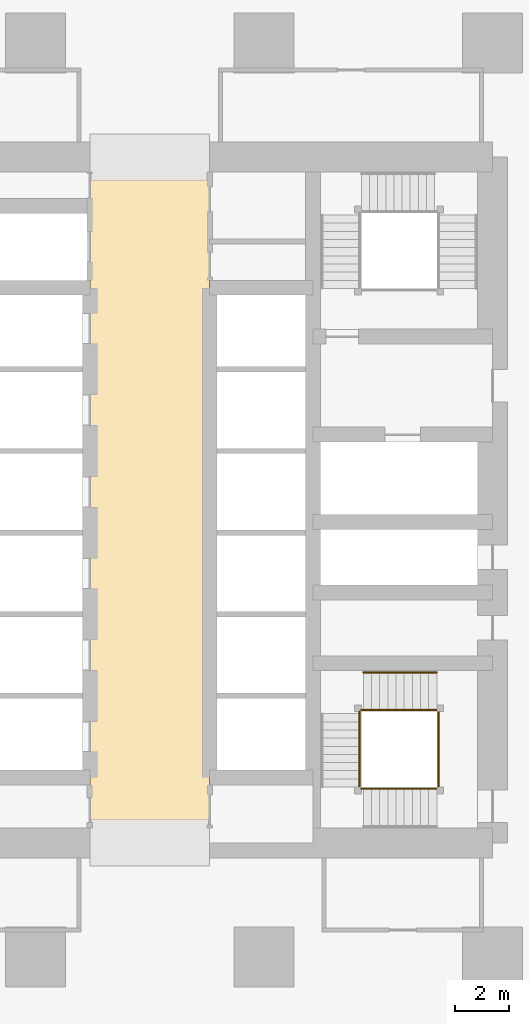
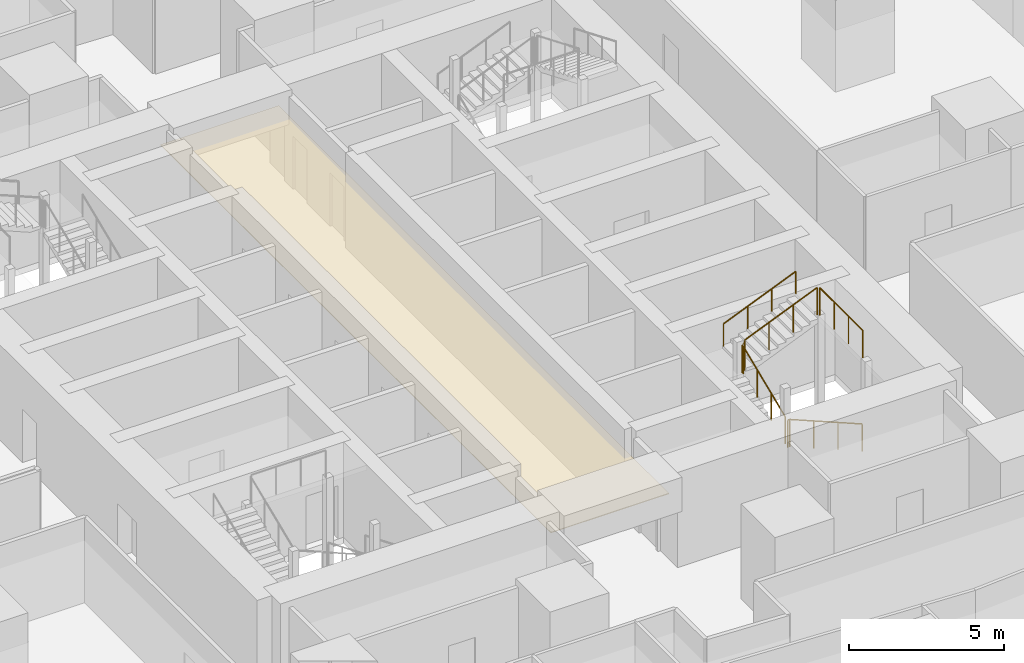
# One storey, part 40 of 45: 8 railings, 1 covering.
"""IFC4 building model written with IfcOpenShell, lengths in metres."""

from ifc_helpers import new_model, si_unit, direction, frame, origin, origin_2d, place, context, subcontext, project, spatial, polyline, circle, outline, extrude, material, layer, layer_set, type_object, element, save


model = new_model("IFC4")

# Units and contexts
model_context = context("Model", 3, precision=1e-05, world=origin(), true_north=direction((0.0, 1.0)))
body_context = subcontext(model_context, "Body", "Model", "MODEL_VIEW")
ifc_project = project(units=[si_unit("LENGTHUNIT", "METRE"), si_unit("AREAUNIT", "SQUARE_METRE"), si_unit("VOLUMEUNIT", "CUBIC_METRE"), si_unit("PLANEANGLEUNIT", "RADIAN"), si_unit("MASSUNIT", "GRAM", prefix="KILO")], contexts=[model_context])

# Site, building, storey
site_placement = place(None, origin())
site = spatial("IfcSite", under=ifc_project, at=site_placement, CompositionType="ELEMENT")
building_placement = place(site_placement, origin())
building = spatial("IfcBuilding", under=site, at=building_placement, Name="Rekha Terrace Tower", CompositionType="ELEMENT")
storey_placement = place(building_placement, frame((0.0, 0.0, 36.64990234375)))
storey = spatial("IfcBuildingStorey", under=building, at=storey_placement, Name="L08", CompositionType="ELEMENT", Elevation=36.64990234375)

# Covering
ifc_material_1 = material(Name="Powder-coated aluminium pan", Category="aluminium")
ifc_layer = layer(ifc_material_1, 0.030029296875)
ifc_layer_set = layer_set([ifc_layer], Name="Powder-coated aluminium pan")
covering_type = type_object("IfcCoveringType", Name="CL3 300x1200 metal pan ceiling", PredefinedType="CEILING", material=ifc_layer_set)
covering_placement = place(storey_placement, frame((0.0, 0.0, 2.570068359375)))
element("IfcCovering", 1, at=covering_placement, inside=storey, type_object=covering_type, Name="Ceiling L08-LOBBY", PredefinedType="CEILING", context=body_context, shape_type="SweptSolid", body=[
    extrude(outline(polyline([(40.0, 46.199951171875), (35.60009765625, 46.199951171875), (35.60009765625, 21.0), (40.0, 21.0), (40.0, 46.199951171875)])), origin(), (0.0, 0.0, 1.0), 0.030029296875),
])

# Railings
ifc_material_2 = material(Name="Stainless steel balustrade", Category="steel")
railing_type_1 = type_object("IfcRailingType", Name="GR1 1100 stair guard", PredefinedType="GUARDRAIL", material=ifc_material_2)
railing_1_placement = place(storey_placement, frame((48.35009765625, 22.989990234375, 0.125)))
element("IfcRailing", 2, at=railing_1_placement, inside=storey, type_object=railing_type_1, Name="Guard ST3 L08 flight 1", PredefinedType="GUARDRAIL", context=body_context, shape_type="SweptSolid", body=[
    extrude(circle(Radius=0.02392578125, at=origin_2d()), frame((0.0, 0.0, 1.076171875), z_axis=(-0.923086799901, 0.0, 0.38459167938), x_axis=(0.0, -1.0, 0.0)), (0.0, 0.0, 1.0), 2.92529296875),
    extrude(circle(Radius=0.02099609375, at=origin_2d()), origin(), (0.0, 0.0, 1.0), 1.052001953125),
    extrude(circle(Radius=0.02099609375, at=origin_2d()), frame((-0.900146484375, 0.0, 0.375)), (0.0, 0.0, 1.0), 1.052001953125),
    extrude(circle(Radius=0.02099609375, at=origin_2d()), frame((-1.800048828125, 0.0, 0.75)), (0.0, 0.0, 1.0), 1.052001953125),
    extrude(circle(Radius=0.02099609375, at=origin_2d()), frame((-2.7001953125, 0.0, 1.125)), (0.0, 0.0, 1.0), 1.052001953125),
])
railing_2_placement = place(storey_placement, frame((45.514892578125, 23.050048828125, 1.375)))
element("IfcRailing", 3, at=railing_2_placement, inside=storey, type_object=railing_type_1, Name="Guard ST3 L08 flight 2", PredefinedType="GUARDRAIL", context=body_context, shape_type="SweptSolid", body=[
    extrude(circle(Radius=0.02392578125, at=origin_2d()), frame((0.0, 0.0, 1.076171875), z_axis=(0.0, 0.923074453586, 0.384621311341), x_axis=(-1.0, 0.0, 0.0)), (0.0, 0.0, 1.0), 2.925048828125),
    extrude(circle(Radius=0.02099609375, at=origin_2d()), origin(), (0.0, 0.0, 1.0), 1.052001953125),
    extrude(circle(Radius=0.02099609375, at=origin_2d()), frame((0.0, 0.89990234375, 0.375)), (0.0, 0.0, 1.0), 1.052001953125),
    extrude(circle(Radius=0.02099609375, at=origin_2d()), frame((0.0, 1.800048828125, 0.75)), (0.0, 0.0, 1.0), 1.052001953125),
    extrude(circle(Radius=0.02099609375, at=origin_2d()), frame((0.0, 2.699951171875, 1.125)), (0.0, 0.0, 1.0), 1.052001953125),
])
railing_3_placement = place(storey_placement, frame((45.64990234375, 25.885009765625, 2.625)))
element("IfcRailing", 4, at=railing_3_placement, inside=storey, type_object=railing_type_1, Name="Guard ST3 L08 flight 3", PredefinedType="GUARDRAIL", context=body_context, shape_type="SweptSolid", body=[
    extrude(circle(Radius=0.02392578125, at=origin_2d()), frame((0.0, 0.0, 1.076171875), z_axis=(0.923086799901, 0.0, 0.38459167938), x_axis=(0.0, 1.0, 0.0)), (0.0, 0.0, 1.0), 2.92529296875),
    extrude(circle(Radius=0.02099609375, at=origin_2d()), origin(), (0.0, 0.0, 1.0), 1.052001953125),
    extrude(circle(Radius=0.02099609375, at=origin_2d()), frame((0.900146484375, 0.0, 0.375)), (0.0, 0.0, 1.0), 1.052001953125),
    extrude(circle(Radius=0.02099609375, at=origin_2d()), frame((1.800048828125, 0.0, 0.75)), (0.0, 0.0, 1.0), 1.052001953125),
    extrude(circle(Radius=0.02099609375, at=origin_2d()), frame((2.7001953125, 0.0, 1.125)), (0.0, 0.0, 1.0), 1.052001953125),
])
railing_4_placement = place(storey_placement, frame((45.64990234375, 22.989990234375, 1.25)))
element("IfcRailing", 5, at=railing_4_placement, inside=storey, type_object=railing_type_1, Name="Guard ST3 L08 landing 1", PredefinedType="GUARDRAIL", context=body_context, shape_type="SweptSolid", body=[
    extrude(circle(Radius=0.02392578125, at=origin_2d()), frame((0.0, 0.0, 1.076171875), z_axis=(-1.0, 0.0, 0.0), x_axis=(0.0, -1.0, 0.0)), (0.0, 0.0, 1.0), 0.074951171875),
    extrude(circle(Radius=0.02099609375, at=origin_2d()), origin(), (0.0, 0.0, 1.0), 1.052001953125),
    extrude(circle(Radius=0.02099609375, at=origin_2d()), frame((-0.074951171875, 0.0, 0.0)), (0.0, 0.0, 1.0), 1.052001953125),
])
railing_5_placement = place(storey_placement, frame((45.514892578125, 25.75, 2.5)))
element("IfcRailing", 6, at=railing_5_placement, inside=storey, type_object=railing_type_1, Name="Guard ST3 L08 landing 2", PredefinedType="GUARDRAIL", context=body_context, shape_type="SweptSolid", body=[
    extrude(circle(Radius=0.02392578125, at=origin_2d()), frame((0.0, 0.0, 1.076171875), z_axis=(0.0, 1.0, 0.0), x_axis=(-1.0, 0.0, 0.0)), (0.0, 0.0, 1.0), 0.074951171875),
    extrude(circle(Radius=0.02099609375, at=origin_2d()), origin(), (0.0, 0.0, 1.0), 1.052001953125),
    extrude(circle(Radius=0.02099609375, at=origin_2d()), frame((0.0, 0.074951171875, 0.0)), (0.0, 0.0, 1.0), 1.052001953125),
])
railing_6_placement = place(storey_placement, frame((45.64990234375, 25.885009765625, 2.5)))
element("IfcRailing", 7, at=railing_6_placement, inside=storey, type_object=railing_type_1, Name="Guard ST3 L08 landing 3", PredefinedType="GUARDRAIL", context=body_context, shape_type="SweptSolid", body=[
    extrude(circle(Radius=0.02392578125, at=origin_2d()), frame((0.0, 0.0, 1.076171875), z_axis=(-1.0, 0.0, 0.0), x_axis=(0.0, -1.0, 0.0)), (0.0, 0.0, 1.0), 0.074951171875),
    extrude(circle(Radius=0.02099609375, at=origin_2d()), origin(), (0.0, 0.0, 1.0), 1.052001953125),
    extrude(circle(Radius=0.02099609375, at=origin_2d()), frame((-0.074951171875, 0.0, 0.0)), (0.0, 0.0, 1.0), 1.052001953125),
])
railing_7_placement = place(storey_placement, frame((48.409912109375, 23.050048828125, 3.75)))
element("IfcRailing", 8, at=railing_7_placement, inside=storey, type_object=railing_type_1, Name="Guard ST3 L08 landing 4", PredefinedType="GUARDRAIL", context=body_context, shape_type="SweptSolid", body=[
    extrude(circle(Radius=0.02392578125, at=origin_2d()), frame((0.0, 0.0, 1.076171875), z_axis=(0.0, 1.0, 0.0), x_axis=(-1.0, 0.0, 0.0)), (0.0, 0.0, 1.0), 2.77490234375),
    extrude(circle(Radius=0.02099609375, at=origin_2d()), origin(), (0.0, 0.0, 1.0), 1.052001953125),
    extrude(circle(Radius=0.02099609375, at=origin_2d()), frame((0.0, 0.925048828125, 0.0)), (0.0, 0.0, 1.0), 1.052001953125),
    extrude(circle(Radius=0.02099609375, at=origin_2d()), frame((0.0, 1.849853515625, 0.0)), (0.0, 0.0, 1.0), 1.052001953125),
    extrude(circle(Radius=0.02099609375, at=origin_2d()), frame((0.0, 2.77490234375, 0.0)), (0.0, 0.0, 1.0), 1.052001953125),
])
ifc_material_3 = material(Name="Stainless steel tube", Category="steel")
railing_type_2 = type_object("IfcRailingType", Name="HR1 900 stair handrail", PredefinedType="HANDRAIL", material=ifc_material_3)
railing_8_placement = place(storey_placement, frame((45.64990234375, 27.264892578125, 2.625)))
element("IfcRailing", 9, at=railing_8_placement, inside=storey, type_object=railing_type_2, Name="Handrail ST3 L08 flight 3", PredefinedType="HANDRAIL", context=body_context, shape_type="SweptSolid", body=[
    extrude(circle(Radius=0.02392578125, at=origin_2d()), frame((0.0, 0.0, 0.8759765625), z_axis=(0.923086799901, 0.0, 0.38459167938), x_axis=(0.0, 1.0, 0.0)), (0.0, 0.0, 1.0), 2.92529296875),
    extrude(circle(Radius=0.02099609375, at=origin_2d()), origin(), (0.0, 0.0, 1.0), 0.851806640625),
    extrude(circle(Radius=0.02099609375, at=origin_2d()), frame((0.900146484375, 0.0, 0.375)), (0.0, 0.0, 1.0), 0.851806640625),
    extrude(circle(Radius=0.02099609375, at=origin_2d()), frame((1.800048828125, 0.0, 0.75)), (0.0, 0.0, 1.0), 0.851806640625),
    extrude(circle(Radius=0.02099609375, at=origin_2d()), frame((2.7001953125, 0.0, 1.125)), (0.0, 0.0, 1.0), 0.851806640625),
])

save(model, "model.ifc")
